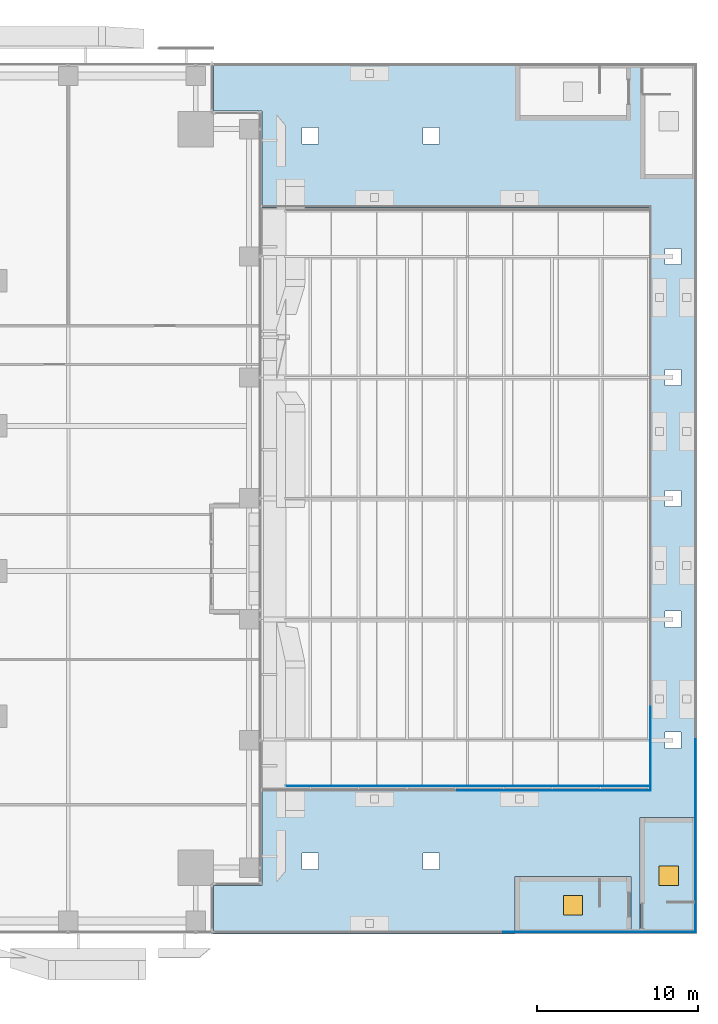
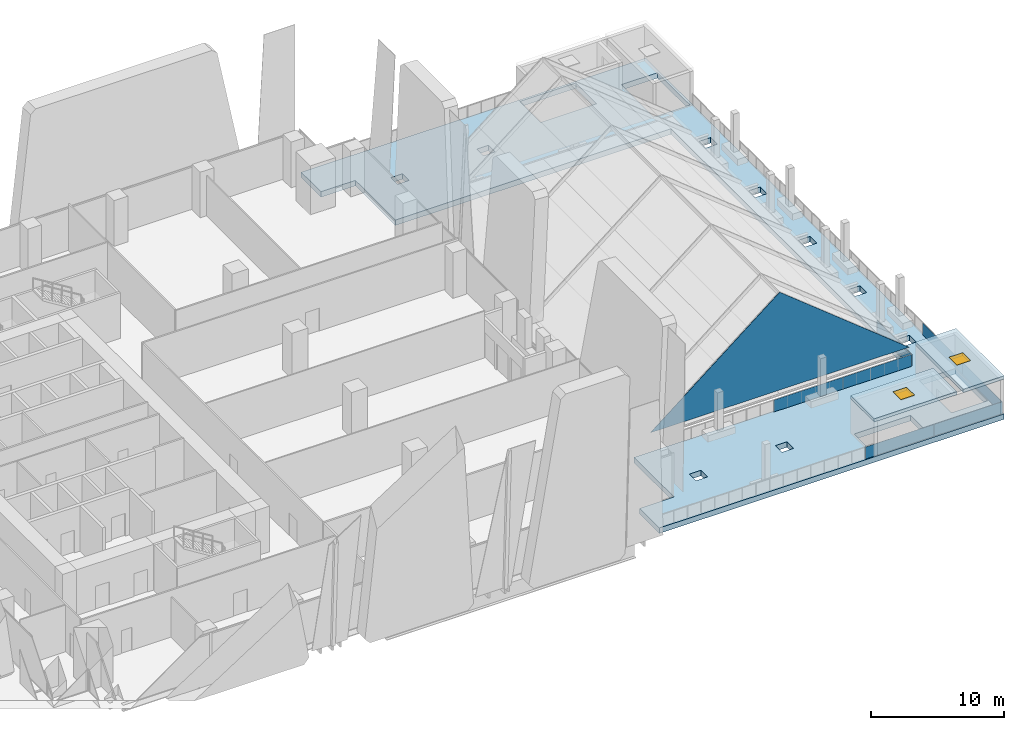
# One storey, part 32 of 46: 8 plates, 3 slabs, 2 windows, 2 openings.
"""IFC4 building model written with IfcOpenShell, lengths in metres."""

import ifcopenshell
import ifcopenshell.guid

model = None  # the IFC model being written
_history = None  # IfcOwnerHistory: only IFC2X3 demands one
_inside = {}  # id of a spatial element -> (the spatial element, [elements in it])
_under = {}  # id of a project, library or spatial element -> (it, [spatial elements below it])
_declared = {}  # id of a project -> (the project, [libraries it declares])
_typed = {}  # id of a type object -> (the type object, [elements of that type])
_made_of = {}  # id of a material, layer set ... -> (it, [elements and type objects made of it])


def new_model(schema):
    """Start an empty IFC model of exactly this schema.

    Asked for "IFC4X3", IfcOpenShell would pick the latest addendum, in which some entities
    have other attributes; the version numbers below select the first issue.
    IFC2X3 requires an IfcOwnerHistory on every rooted entity: one is made here for all.
    """
    global model, _history
    if schema == "IFC4X3":
        model = ifcopenshell.file(schema_version=(4, 3, 0, 0))
    else:
        model = ifcopenshell.file(schema=schema)
    _inside.clear()
    _under.clear()
    _declared.clear()
    _typed.clear()
    _made_of.clear()
    _history = None
    if model.schema == "IFC2X3":
        org = make("IfcOrganization", Name="unknown")
        user = make(
            "IfcPersonAndOrganization",
            ThePerson=make("IfcPerson", FamilyName="unknown"),
            TheOrganization=org,
        )
        app = make(
            "IfcApplication",
            ApplicationDeveloper=org,
            Version="unknown",
            ApplicationFullName="unknown",
            ApplicationIdentifier="unknown",
        )
        _history = make(
            "IfcOwnerHistory",
            OwningUser=user,
            OwningApplication=app,
            ChangeAction="ADDED",
            CreationDate=0,
        )
    return model


def make(cls, **values):
    """One entity of the class cls with the attributes given. An attribute that is None is left unset."""
    return model.create_entity(
        cls, **{name: value for name, value in values.items() if value is not None}
    )


def rooted(cls, **values):
    """An entity with a GlobalId (a new one), such as an element, a storey or a relation."""
    return make(cls, GlobalId=ifcopenshell.guid.new(), OwnerHistory=_history, **values)


def si_unit(unit_type, name, prefix=None):
    """IfcSIUnit, for example si_unit("LENGTHUNIT", "METRE", prefix="MILLI")."""
    return make("IfcSIUnit", UnitType=unit_type, Prefix=prefix, Name=name)


def assignment(units):
    """IfcUnitAssignment: the units of a project."""
    return None if units is None else make("IfcUnitAssignment", Units=units)


def point(xyz):
    """IfcCartesianPoint."""
    return None if xyz is None else make("IfcCartesianPoint", Coordinates=xyz)


def direction(xyz):
    """IfcDirection."""
    return None if xyz is None else make("IfcDirection", DirectionRatios=xyz)


def frame(location, z_axis=None, x_axis=None):
    """IfcAxis2Placement3D, a coordinate frame: its origin and axes. An axis left out is left unset."""
    return make(
        "IfcAxis2Placement3D",
        Location=point(location),
        Axis=direction(z_axis),
        RefDirection=direction(x_axis),
    )


def frame_2d(location, x_axis=None):
    """IfcAxis2Placement2D, a coordinate frame in the plane: its origin and x axis."""
    return make(
        "IfcAxis2Placement2D", Location=point(location), RefDirection=direction(x_axis)
    )


def origin():
    """The frame at (0, 0, 0) with its axes left unset."""
    return frame((0.0, 0.0, 0.0))


def origin_2d():
    """The frame at (0, 0) in the plane with its x axis left unset."""
    return frame_2d((0.0, 0.0))


def place(relative_to, where):
    """IfcLocalPlacement: puts the frame where relative to a parent placement (None: the world)."""
    return make(
        "IfcLocalPlacement", PlacementRelTo=relative_to, RelativePlacement=where
    )


def context(
    kind, dimensions, precision=None, world=None, true_north=None, identifier=None
):
    """IfcGeometricRepresentationContext, for example the 3D "Model" context."""
    return make(
        "IfcGeometricRepresentationContext",
        ContextIdentifier=identifier,
        ContextType=kind,
        CoordinateSpaceDimension=dimensions,
        Precision=precision,
        WorldCoordinateSystem=world,
        TrueNorth=true_north,
    )


def subcontext(parent, identifier, kind, view, scale=None):
    """IfcGeometricRepresentationSubContext, for example "Body" below "Model"."""
    return make(
        "IfcGeometricRepresentationSubContext",
        ContextIdentifier=identifier,
        ContextType=kind,
        ParentContext=parent,
        TargetScale=scale,
        TargetView=view,
    )


def project(units=None, contexts=None):
    """IfcProject with its units and contexts."""
    return rooted(
        "IfcProject",
        Name="project",
        RepresentationContexts=contexts,
        UnitsInContext=assignment(units),
    )


def spatial(cls, under=None, at=None, **own):
    """A site, building, storey or space (cls), placed at a placement, below another one or the project."""
    s = rooted(cls, ObjectPlacement=at, **own)
    if under is not None:
        _under.setdefault(under.id(), (under, []))[1].append(s)
    return s


def polyline(points):
    """IfcPolyline through the points."""
    return make("IfcPolyline", Points=[point(p) for p in points])


def profile(cls, at=None, kind="AREA", **sizes):
    """A parametric profile (cls). Its sizes go by their IFC names, for example OverallWidth=200.0."""
    return make(cls, ProfileType=kind, Position=at, **sizes)


def rectangle(**sizes):
    """IfcRectangleProfileDef."""
    return profile("IfcRectangleProfileDef", **sizes)


def outline(outer, holes=None, kind="AREA"):
    """IfcArbitraryClosedProfileDef: a profile drawn as a closed curve; with holes, ...WithVoids."""
    if holes is None:
        return make("IfcArbitraryClosedProfileDef", ProfileType=kind, OuterCurve=outer)
    return make(
        "IfcArbitraryProfileDefWithVoids",
        ProfileType=kind,
        OuterCurve=outer,
        InnerCurves=holes,
    )


def extrude(swept, where, along, depth):
    """IfcExtrudedAreaSolid: the profile swept, set in the frame where, extruded along a direction by depth."""
    return make(
        "IfcExtrudedAreaSolid",
        SweptArea=swept,
        Position=where,
        ExtrudedDirection=direction(along),
        Depth=depth,
    )


def shape(context_of_items, identifier, shape_type, items):
    """IfcShapeRepresentation: the items that make up one representation, for example the "Body"."""
    return make(
        "IfcShapeRepresentation",
        ContextOfItems=context_of_items,
        RepresentationIdentifier=identifier,
        RepresentationType=shape_type,
        Items=items,
    )


def source(mapping_origin, context_of_items, identifier, shape_type, items):
    """IfcRepresentationMap: a shape defined once, which mapped items show again and again."""
    return make(
        "IfcRepresentationMap",
        MappingOrigin=mapping_origin,
        MappedRepresentation=shape(context_of_items, identifier, shape_type, items),
    )


def transform(
    local_origin,
    x_axis=None,
    y_axis=None,
    z_axis=None,
    scale=None,
    scale2=None,
    scale3=None,
    uniform=True,
):
    """IfcCartesianTransformationOperator3D, or its non-uniform kind. x_axis, y_axis, z_axis: its Axis1, 2, 3."""
    if uniform:
        return make(
            "IfcCartesianTransformationOperator3D",
            Axis1=direction(x_axis),
            Axis2=direction(y_axis),
            LocalOrigin=point(local_origin),
            Scale=scale,
            Axis3=direction(z_axis),
        )
    return make(
        "IfcCartesianTransformationOperator3DnonUniform",
        Axis1=direction(x_axis),
        Axis2=direction(y_axis),
        LocalOrigin=point(local_origin),
        Scale=scale,
        Axis3=direction(z_axis),
        Scale2=scale2,
        Scale3=scale3,
    )


def mapped(mapping_source, mapping_target):
    """IfcMappedItem: shows the shape of a source again, moved by a transform."""
    return make(
        "IfcMappedItem", MappingSource=mapping_source, MappingTarget=mapping_target
    )


def material(Name=None, Category=None):
    """IfcMaterial."""
    return make("IfcMaterial", Name=Name, Category=Category)


def layer(
    of_material, thickness, ventilated=None, Name=None, Category=None, Priority=None
):
    """IfcMaterialLayer: one layer of a wall or slab, of a material (None: an air gap)."""
    return make(
        "IfcMaterialLayer",
        Material=of_material,
        LayerThickness=thickness,
        IsVentilated=ventilated,
        Name=Name,
        Category=Category,
        Priority=Priority,
    )


def layer_set(layers, Name=None):
    """IfcMaterialLayerSet."""
    return make("IfcMaterialLayerSet", MaterialLayers=layers, LayerSetName=Name)


def made_of(thing, what):
    """Note that an element or type object is made of a material, layer set ...; save() writes the relation."""
    if what is not None:
        _made_of.setdefault(what.id(), (what, []))[1].append(thing)
    return thing


def type_object(cls, material=None, **own):
    """A type object (cls), such as IfcWallType, which elements share."""
    return made_of(rooted(cls, **own), material)


def element(
    cls,
    number,
    at=None,
    inside=None,
    cuts=None,
    type_object=None,
    material=None,
    context=None,
    identifier="Body",
    shape_type=None,
    held_by="IfcProductDefinitionShape",
    body=None,
    shapes=None,
    **own,
):
    """One element of the class cls, such as IfcWall. Its Tag is "e" and its number.

    at: its placement. inside: the storey or other place that contains it. cuts: it is an
    opening in that element (IfcRelVoidsElement). A single representation is given by context,
    identifier, shape_type and body (its items); several are given by shapes. held_by: the class
    of the entity that holds the representations. save() writes the other relations.
    """
    e = rooted(cls, Tag="e%d" % number, ObjectPlacement=at, **own)
    if body is not None:
        shapes = [shape(context, identifier, shape_type, body)]
    if shapes is not None:
        e.Representation = make(held_by, Representations=shapes)
    if inside is not None:
        _inside.setdefault(inside.id(), (inside, []))[1].append(e)
    if cuts is not None:
        rooted(
            "IfcRelVoidsElement", RelatingBuildingElement=cuts, RelatedOpeningElement=e
        )
    if type_object is not None:
        _typed.setdefault(type_object.id(), (type_object, []))[1].append(e)
    return made_of(e, material)


def fill(opening, filler):
    """IfcRelFillsElement: the door or window that sits in an opening."""
    return rooted(
        "IfcRelFillsElement",
        RelatingOpeningElement=opening,
        RelatedBuildingElement=filler,
    )


def aggregate(whole, parts):
    """IfcRelAggregates: a whole, such as a stair, and the parts it consists of."""
    return rooted("IfcRelAggregates", RelatingObject=whole, RelatedObjects=parts)


def save(model, path):
    """Write the relations noted so far, then the file.

    IfcRelAggregates (storeys below a building ...), IfcRelContainedInSpatialStructure (elements
    in a storey), IfcRelDefinesByType, IfcRelAssociatesMaterial and IfcRelDeclares: one each for
    every whole, place, type object, material and project.
    """
    for whole, parts in _under.values():
        aggregate(whole, parts)
    for where, things in _inside.values():
        rooted(
            "IfcRelContainedInSpatialStructure",
            RelatedElements=things,
            RelatingStructure=where,
        )
    for kind, things in _typed.values():
        rooted("IfcRelDefinesByType", RelatedObjects=things, RelatingType=kind)
    for what, things in _made_of.values():
        rooted("IfcRelAssociatesMaterial", RelatedObjects=things, RelatingMaterial=what)
    for by, libraries in _declared.values():
        rooted("IfcRelDeclares", RelatingContext=by, RelatedDefinitions=libraries)
    model.write(path)


model = new_model("IFC4")

# Units and contexts
model_context = context("Model", 3, precision=1e-05, world=origin(), true_north=direction((0.0, 1.0)))
body_context = subcontext(model_context, "Body", "Model", "MODEL_VIEW")
ifc_project = project(units=[si_unit("LENGTHUNIT", "METRE"), si_unit("AREAUNIT", "SQUARE_METRE"), si_unit("VOLUMEUNIT", "CUBIC_METRE"), si_unit("PLANEANGLEUNIT", "RADIAN"), si_unit("MASSUNIT", "GRAM", prefix="KILO")], contexts=[model_context])

# Site, building, storey
site_placement = place(None, origin())
site = spatial("IfcSite", under=ifc_project, at=site_placement, CompositionType="ELEMENT")
building_placement = place(site_placement, origin())
building = spatial("IfcBuilding", under=site, at=building_placement, Name="Khomas Fold Tower", CompositionType="ELEMENT")
storey_placement = place(building_placement, frame((0.0, 0.0, 33.0)))
storey = spatial("IfcBuildingStorey", under=building, at=storey_placement, Name="L06", CompositionType="ELEMENT", Elevation=33.0)

# Plate
ifc_material_1 = material(Name="Laminated heat-strengthened glass", Category="glass")
ifc_layer_1 = layer(ifc_material_1, 0.031982421875)
ifc_layer_set_1 = layer_set([ifc_layer_1], Name="Laminated heat-strengthened glass")
plate_type_1 = type_object("IfcPlateType", Name="Atrium lantern gable glazing AL-G", PredefinedType="SHEET", material=ifc_layer_set_1)
plate_1_placement = place(storey_placement, frame((55.5, 9.134033203125, 1.644287109375), z_axis=(0.0, -1.0, 0.0), x_axis=(1.0, 0.0, 0.0)))
element("IfcPlate", 1, at=plate_1_placement, inside=storey, type_object=plate_type_1, Name="Atrium lantern gable glazing", PredefinedType="SHEET", context=body_context, shape_type="SweptSolid", body=[
    extrude(outline(polyline([(0.0, 0.0), (22.5, 0.0), (11.25, 9.0), (0.0, 0.0)])), origin(), (0.0, 0.0, -1.0), 0.031982421875),
])

# Slab
ifc_material_2 = material(Name="Concrete C40/50", Category="concrete")
ifc_layer_2 = layer(ifc_material_2, 0.5)
ifc_layer_set_2 = layer_set([ifc_layer_2], Name="Concrete C40/50")
slab_type_1 = type_object("IfcSlabType", Name="RC roof slab 500", PredefinedType="ROOF", material=ifc_layer_set_2)
shared_shape_1 = source(origin(), body_context, "Body", "SweptSolid", [
    extrude(outline(polyline([(51.0, 0.0), (81.0, 0.0), (81.0, 54.0), (51.0, 54.0), (51.0, 51.02001953125), (54.0, 51.02001953125), (54.0, 45.0), (78.0, 45.0), (78.0, 9.0), (54.0, 9.0), (54.0, 2.97998046875), (51.0, 2.97998046875), (51.0, 0.0)]), holes=[polyline([(56.4951171875, 3.9951171875), (56.4951171875, 5.0048828125), (57.5048828125, 5.0048828125), (57.5048828125, 3.9951171875), (56.4951171875, 3.9951171875)]), polyline([(56.4951171875, 48.9951171875), (56.4951171875, 50.0048828125), (57.5048828125, 50.0048828125), (57.5048828125, 48.9951171875), (56.4951171875, 48.9951171875)]), polyline([(63.9951171875, 3.9951171875), (63.9951171875, 5.0048828125), (65.0048828125, 5.0048828125), (65.0048828125, 3.9951171875), (63.9951171875, 3.9951171875)]), polyline([(63.9951171875, 48.9951171875), (63.9951171875, 50.0048828125), (65.0048828125, 50.0048828125), (65.0048828125, 48.9951171875), (63.9951171875, 48.9951171875)]), polyline([(69.89990234375, 0.199951171875), (69.89990234375, 3.35009765625), (74.7900390625, 3.35009765625), (74.7900390625, 0.199951171875), (69.89990234375, 0.199951171875)]), polyline([(69.89990234375, 50.64990234375), (69.89990234375, 53.800048828125), (74.7900390625, 53.800048828125), (74.7900390625, 50.64990234375), (69.89990234375, 50.64990234375)]), polyline([(77.64990234375, 2.110107421875), (77.64990234375, 7.0), (80.800048828125, 7.0), (80.800048828125, 2.110107421875), (77.64990234375, 2.110107421875)]), polyline([(77.64990234375, 47.0), (77.64990234375, 51.889892578125), (80.800048828125, 51.889892578125), (80.800048828125, 47.0), (77.64990234375, 47.0)]), polyline([(78.9951171875, 11.4951171875), (78.9951171875, 12.5048828125), (80.0048828125, 12.5048828125), (80.0048828125, 11.4951171875), (78.9951171875, 11.4951171875)]), polyline([(78.9951171875, 18.9951171875), (78.9951171875, 20.0048828125), (80.0048828125, 20.0048828125), (80.0048828125, 18.9951171875), (78.9951171875, 18.9951171875)]), polyline([(78.9951171875, 26.4951171875), (78.9951171875, 27.5048828125), (80.0048828125, 27.5048828125), (80.0048828125, 26.4951171875), (78.9951171875, 26.4951171875)]), polyline([(78.9951171875, 33.9951171875), (78.9951171875, 35.0048828125), (80.0048828125, 35.0048828125), (80.0048828125, 33.9951171875), (78.9951171875, 33.9951171875)]), polyline([(78.9951171875, 41.4951171875), (78.9951171875, 42.5048828125), (80.0048828125, 42.5048828125), (80.0048828125, 41.4951171875), (78.9951171875, 41.4951171875)])]), origin(), (0.0, 0.0, 1.0), 0.5),
])
slab_1_placement = place(storey_placement, frame((0.0, 0.0, -0.5)))
element("IfcSlab", 2, at=slab_1_placement, inside=storey, type_object=slab_type_1, Name="Podium roof slab", PredefinedType="ROOF", context=body_context, shape_type="MappedRepresentation", body=[
    mapped(shared_shape_1, transform((0.0, 0.0, 0.0))),
])

# Plates
ifc_material_3 = material(Name="Laminated toughened glass", Category="glass")
ifc_layer_3 = layer(ifc_material_3, 0.030029296875)
ifc_layer_set_3 = layer_set([ifc_layer_3], Name="Laminated toughened glass")
plate_type_2 = type_object("IfcPlateType", Name="Guard glass infill GD-GI", PredefinedType="SHEET", material=ifc_layer_set_3)
shared_shape_2 = source(origin(), body_context, "Body", "SweptSolid", [
    extrude(rectangle(XDim=5.977783203125, YDim=0.030029296875, at=origin_2d()), origin(), (0.0, 0.0, 1.0), 1.10009765625),
])
for number, where, z_axis, x_axis, name in (
    (3, (80.89990234375, 9.066650390625, 0.0), (0.0, 0.0, 1.0), (0.0, -1.0, 0.0), "Guard glass infill"),
    (4, (80.89990234375, 3.0888671875, 0.0), (0.0, 0.0, 1.0), (0.0, -1.0, 0.0), "Guard glass infill"),
):
    element("IfcPlate", number, at=place(storey_placement, frame(where, z_axis=z_axis, x_axis=x_axis)), inside=storey, type_object=plate_type_2, Name=name, PredefinedType="SHEET", context=body_context, shape_type="MappedRepresentation", body=[
        mapped(shared_shape_2, transform((0.0, 0.0, 0.0))),
    ])
shared_shape_3 = source(origin(), body_context, "Body", "SweptSolid", [
    extrude(rectangle(XDim=5.9580078125, YDim=0.030029296875, at=origin_2d()), origin(), (0.0, 0.0, 1.0), 1.10009765625),
])
for number, where, z_axis, x_axis, name in (
    (5, (77.9208984375, 0.10009765625, 0.0), (0.0, 0.0, 1.0), (-1.0, 0.0, 0.0), "Guard glass infill"),
    (6, (71.962890625, 0.10009765625, 0.0), (0.0, 0.0, 1.0), (-1.0, 0.0, 0.0), "Guard glass infill"),
):
    element("IfcPlate", number, at=place(storey_placement, frame(where, z_axis=z_axis, x_axis=x_axis)), inside=storey, type_object=plate_type_2, Name=name, PredefinedType="SHEET", context=body_context, shape_type="MappedRepresentation", body=[
        mapped(shared_shape_3, transform((0.0, 0.0, 0.0))),
    ])
shared_shape_4 = source(origin(), body_context, "Body", "SweptSolid", [
    extrude(rectangle(XDim=5.99755859375, YDim=0.030029296875, at=origin_2d()), origin(), (0.0, 0.0, 1.0), 1.10009765625),
])
for number, where, z_axis, x_axis, name in (
    (7, (69.103759765625, 8.89990234375, 0.0), (0.0, 0.0, 1.0), (1.0, 0.0, 0.0), "Guard glass infill"),
    (8, (75.101318359375, 8.89990234375, 0.0), (0.0, 0.0, 1.0), (1.0, 0.0, 0.0), "Guard glass infill"),
):
    element("IfcPlate", number, at=place(storey_placement, frame(where, z_axis=z_axis, x_axis=x_axis)), inside=storey, type_object=plate_type_2, Name=name, PredefinedType="SHEET", context=body_context, shape_type="MappedRepresentation", body=[
        mapped(shared_shape_4, transform((0.0, 0.0, 0.0))),
    ])
shared_shape_5 = source(origin(), body_context, "Body", "SweptSolid", [
    extrude(rectangle(XDim=5.17138671875, YDim=0.030029296875, at=origin_2d()), origin(), (0.0, 0.0, 1.0), 1.10009765625),
])
plate_2_placement = place(storey_placement, frame((78.10009765625, 11.485595703125, 0.0), z_axis=(0.0, 0.0, 1.0), x_axis=(0.0, 1.0, 0.0)))
element("IfcPlate", 9, at=plate_2_placement, inside=storey, type_object=plate_type_2, Name="Guard glass infill", PredefinedType="SHEET", context=body_context, shape_type="MappedRepresentation", body=[
    mapped(shared_shape_5, transform((0.0, 0.0, 0.0))),
])

# Slab, opening, window
ifc_material_4 = material(Name="Concrete C40/50", Category="concrete")
ifc_layer_4 = layer(ifc_material_4, 0.300048828125)
ifc_layer_set_4 = layer_set([ifc_layer_4], Name="Concrete C40/50")
slab_type_2 = type_object("IfcSlabType", Name="Stair head house roof slab PD-HR", PredefinedType="ROOF", material=ifc_layer_set_4)
shared_shape_6 = source(origin(), body_context, "Body", "SweptSolid", [
    extrude(outline(polyline([(69.699951171875, 0.0), (76.89990234375, 0.0), (76.89990234375, 3.550048828125), (69.699951171875, 3.550048828125), (69.699951171875, 0.0)])), origin(), (0.0, 0.0, 1.0), 0.300048828125),
])
slab_2_placement = place(storey_placement, frame((0.0, 0.0, 3.199951171875)))
slab_2 = element("IfcSlab", 10, at=slab_2_placement, inside=storey, type_object=slab_type_2, Name="Stair head roof PS3", PredefinedType="ROOF", context=body_context, shape_type="MappedRepresentation", body=[
    mapped(shared_shape_6, transform((0.0, 0.0, 0.0))),
])
opening_1_placement = place(slab_2_placement, frame((73.300048828125, 1.77490234375, 0.0)))
opening_1 = element("IfcOpeningElement", 11, at=opening_1_placement, cuts=slab_2, Name="Opening PD-SV", PredefinedType="OPENING", context=body_context, shape_type="SweptSolid", body=[
    extrude(rectangle(XDim=1.199951171875, YDim=1.199951171875, at=origin_2d()), origin(), (0.0, 0.0, 1.0), 0.300048828125),
])
ifc_material_5 = material(Name="Insulated aluminium", Category="aluminium")
window_type = type_object("IfcWindowType", Name="Stair smoke vent", PartitioningType="SINGLE_PANEL", PredefinedType="SKYLIGHT", material=ifc_material_5)
window_1_placement = place(opening_1_placement, frame((0.0, 0.0, 0.25)))
window_1 = element("IfcWindow", 12, at=window_1_placement, inside=storey, type_object=window_type, Name="Stair smoke vent PS3", OverallHeight=1.199951171875, OverallWidth=1.199951171875, PartitioningType="SINGLE_PANEL", PredefinedType="SKYLIGHT", context=body_context, shape_type="SweptSolid", body=[
    extrude(rectangle(XDim=1.199951171875, YDim=1.199951171875, at=origin_2d()), origin(), (0.0, 0.0, 1.0), 0.050048828125),
])
fill(opening_1, window_1)

shared_shape_7 = source(origin(), body_context, "Body", "SweptSolid", [
    extrude(outline(polyline([(77.449951171875, 0.0), (81.0, 0.0), (81.0, 7.199951171875), (77.449951171875, 7.199951171875), (77.449951171875, 0.0)])), origin(), (0.0, 0.0, 1.0), 0.300048828125),
])
slab_3_placement = place(storey_placement, frame((0.0, 0.0, 3.199951171875)))
slab_3 = element("IfcSlab", 13, at=slab_3_placement, inside=storey, type_object=slab_type_2, Name="Stair head roof PS4", PredefinedType="ROOF", context=body_context, shape_type="MappedRepresentation", body=[
    mapped(shared_shape_7, transform((0.0, 0.0, 0.0))),
])
opening_2_placement = place(slab_3_placement, frame((79.22509765625, 3.60009765625, 0.0)))
opening_2 = element("IfcOpeningElement", 14, at=opening_2_placement, cuts=slab_3, Name="Opening PD-SV", PredefinedType="OPENING", context=body_context, shape_type="SweptSolid", body=[
    extrude(rectangle(XDim=1.199951171875, YDim=1.199951171875, at=origin_2d()), origin(), (0.0, 0.0, 1.0), 0.300048828125),
])
window_2_placement = place(opening_2_placement, frame((0.0, 0.0, 0.25)))
window_2 = element("IfcWindow", 15, at=window_2_placement, inside=storey, type_object=window_type, Name="Stair smoke vent PS4", OverallHeight=1.199951171875, OverallWidth=1.199951171875, PartitioningType="SINGLE_PANEL", PredefinedType="SKYLIGHT", context=body_context, shape_type="SweptSolid", body=[
    extrude(rectangle(XDim=1.199951171875, YDim=1.199951171875, at=origin_2d()), origin(), (0.0, 0.0, 1.0), 0.050048828125),
])
fill(opening_2, window_2)

save(model, "model.ifc")
